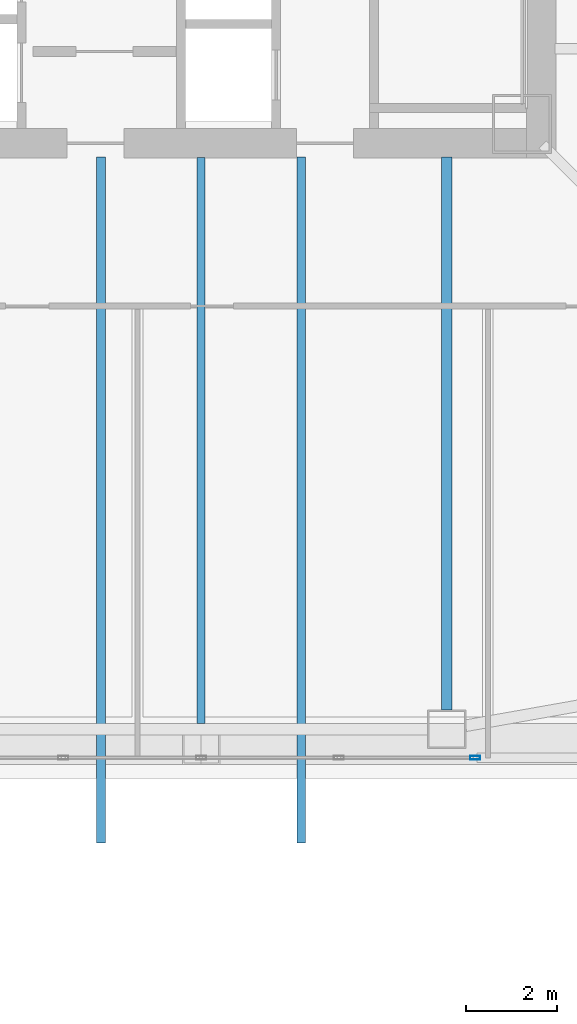
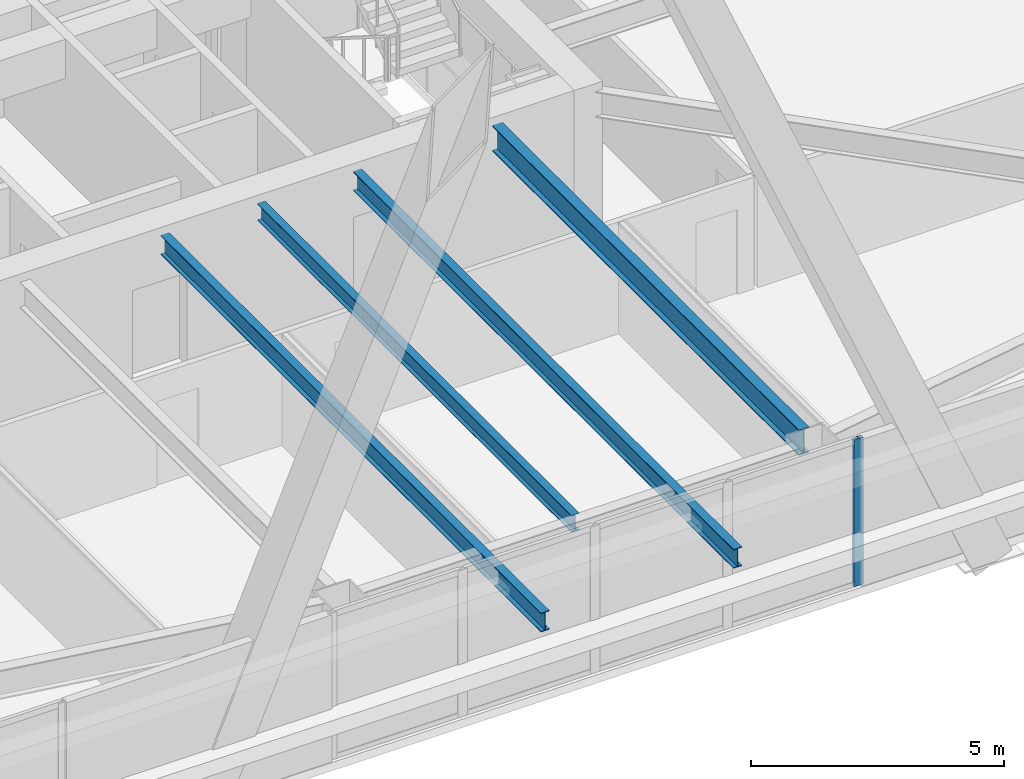
# One storey, part 7 of 54: 4 beams, 1 member, 1 element without a shape of its own.
"""IFC4 building model written with IfcOpenShell, lengths in metres."""

from ifc_helpers import new_model, si_unit, direction, frame, origin, origin_2d, place, context, subcontext, project, spatial, hollow_rectangle, i_section, extrude, material, material_profile, profile_set, type_object, element, aggregate, save


model = new_model("IFC4")

# Units and contexts
model_context = context("Model", 3, precision=1e-05, world=origin(), true_north=direction((0.0, 1.0)))
body_context = subcontext(model_context, "Body", "Model", "MODEL_VIEW")
ifc_project = project(units=[si_unit("LENGTHUNIT", "METRE"), si_unit("AREAUNIT", "SQUARE_METRE"), si_unit("VOLUMEUNIT", "CUBIC_METRE"), si_unit("PLANEANGLEUNIT", "RADIAN"), si_unit("MASSUNIT", "GRAM", prefix="KILO")], contexts=[model_context])

# Site, building, storey
site_placement = place(None, origin())
site = spatial("IfcSite", under=ifc_project, at=site_placement, CompositionType="ELEMENT")
building_placement = place(site_placement, origin())
building = spatial("IfcBuilding", under=site, at=building_placement, Name="Tashvorn Skyway Center", CompositionType="ELEMENT")
storey_placement = place(building_placement, frame((0.0, 0.0, 88.5)))
storey = spatial("IfcBuildingStorey", under=building, at=storey_placement, Name="L23", CompositionType="ELEMENT", Elevation=88.5)

# Beams
ifc_material_1 = material(Name="Steel ASTM A992 Grade 50", Category="steel")
ifc_material_profile_1 = material_profile(ifc_material_1, i_section(OverallWidth=0.22998046875, OverallDepth=0.616943359375, WebThickness=0.01318359375, FlangeThickness=0.022216796875, at=origin_2d()), Name="W24X94")
ifc_profile_set_1 = profile_set([ifc_material_profile_1], Name="Steel ASTM A992 Grade 50")
beam_type_1 = type_object("IfcBeamType", Name="BM-BEAM-W24X94", PredefinedType="BEAM", material=ifc_profile_set_1)
beam_1_placement = place(storey_placement, frame((47.39990234375, 12.070068359375, 3.04150390625), z_axis=(0.0, 1.0, 0.0), x_axis=(-1.0, 0.0, 0.0)))
element("IfcBeam", 1, at=beam_1_placement, inside=storey, type_object=beam_type_1, Name="Tower 1 L23 Primary Floor Girder FC-S2", PredefinedType="BEAM", context=body_context, shape_type="SweptSolid", body=[
    extrude(i_section(OverallWidth=0.22998046875, OverallDepth=0.616943359375, WebThickness=0.01318359375, FlangeThickness=0.022216796875, at=origin_2d()), origin(), (0.0, 0.0, 1.0), 12.14990234375),
])
ifc_material_profile_2 = material_profile(ifc_material_1, i_section(OverallWidth=0.177978515625, OverallDepth=0.406005859375, WebThickness=0.0078125, FlangeThickness=0.0126953125, at=origin_2d()), Name="W16X40")
ifc_profile_set_2 = profile_set([ifc_material_profile_2], Name="Steel ASTM A992 Grade 50")
beam_type_2 = type_object("IfcBeamType", Name="BM-JOIST-W16X40", PredefinedType="JOIST", material=ifc_profile_set_2)
beam_2_placement = place(storey_placement, frame((42.0, 24.2099609375, 3.14697265625), z_axis=(0.0, -1.0, 0.0), x_axis=(1.0, 0.0, 0.0)))
element("IfcBeam", 2, at=beam_2_placement, inside=storey, type_object=beam_type_2, Name="Tower 1 L23 Secondary Composite Joist JS", PredefinedType="JOIST", context=body_context, shape_type="SweptSolid", body=[
    extrude(i_section(OverallWidth=0.177978515625, OverallDepth=0.406005859375, WebThickness=0.0078125, FlangeThickness=0.0126953125, at=origin_2d()), origin(), (0.0, 0.0, 1.0), 12.43994140625),
])
ifc_material_profile_3 = material_profile(ifc_material_1, i_section(OverallWidth=0.19091796875, OverallDepth=0.4599609375, WebThickness=0.010009765625, FlangeThickness=0.01611328125, at=origin_2d()), Name="W18X55")
ifc_profile_set_3 = profile_set([ifc_material_profile_3], Name="Steel ASTM A992 Grade 50")
beam_type_3 = type_object("IfcBeamType", Name="BM-JOIST-W18X55", PredefinedType="JOIST", material=ifc_profile_set_3)
for number, where, z_axis, x_axis, name in (
    (3, (39.800048828125, 24.219970703125, 3.1201171875), (0.0, -1.0, 0.0), (1.0, 0.0, 0.0), "Tower 1 L24 Terrace Cantilever Outlooker 1"),
    (4, (44.199951171875, 24.219970703125, 3.1201171875), (0.0, -1.0, 0.0), (1.0, 0.0, 0.0), "Tower 1 L24 Terrace Cantilever Outlooker 2"),
):
    element("IfcBeam", number, at=place(storey_placement, frame(where, z_axis=z_axis, x_axis=x_axis)), inside=storey, type_object=beam_type_3, Name=name, PredefinedType="JOIST", context=body_context, shape_type="SweptSolid", body=[
        extrude(i_section(OverallWidth=0.19091796875, OverallDepth=0.4599609375, WebThickness=0.010009765625, FlangeThickness=0.01611328125, at=origin_2d()), origin(), (0.0, 0.0, 1.0), 15.070068359375),
    ])

# Curtain wall, member
ifc_material_2 = material(Name="Thermally broken bronze-anodized aluminium 6063-T6", Category="aluminium")
curtain_wall_type = type_object("IfcCurtainWallType", Name="CW-CW-Z2", PredefinedType="NOTDEFINED", material=ifc_material_2)
curtain_wall_placement = place(storey_placement, origin())
curtain_wall = element("IfcCurtainWall", 5, at=curtain_wall_placement, inside=storey, type_object=curtain_wall_type, Name="Tower 1 L23 South Unitised Curtain Wall Glazing Group 2", PredefinedType="NOTDEFINED")
ifc_material_profile_4 = material_profile(ifc_material_2, hollow_rectangle(XDim=0.080078125, YDim=0.219970703125, WallThickness=0.0048828125, at=origin_2d()), Name="ALU-MULL-80x220")
ifc_profile_set_4 = profile_set([ifc_material_profile_4], Name="Thermally broken bronze-anodized aluminium 6063-T6")
member_type = type_object("IfcMemberType", Name="CWM-CW-Z2", PredefinedType="MULLION", material=ifc_profile_set_4)
member_placement = place(storey_placement, frame((48.02001953125, 11.02001953125, 0.0), z_axis=(0.0, 0.0, 1.0), x_axis=(0.0, -1.0, 0.0)))
member = element("IfcMember", 6, at=member_placement, type_object=member_type, Name="CW-Z2 mullion 1", PredefinedType="MULLION", context=body_context, shape_type="SweptSolid", body=[
    extrude(hollow_rectangle(XDim=0.080078125, YDim=0.219970703125, WallThickness=0.0048828125, at=origin_2d()), origin(), (0.0, 0.0, 1.0), 3.550048828125),
])
aggregate(curtain_wall, [member])

save(model, "model.ifc")
